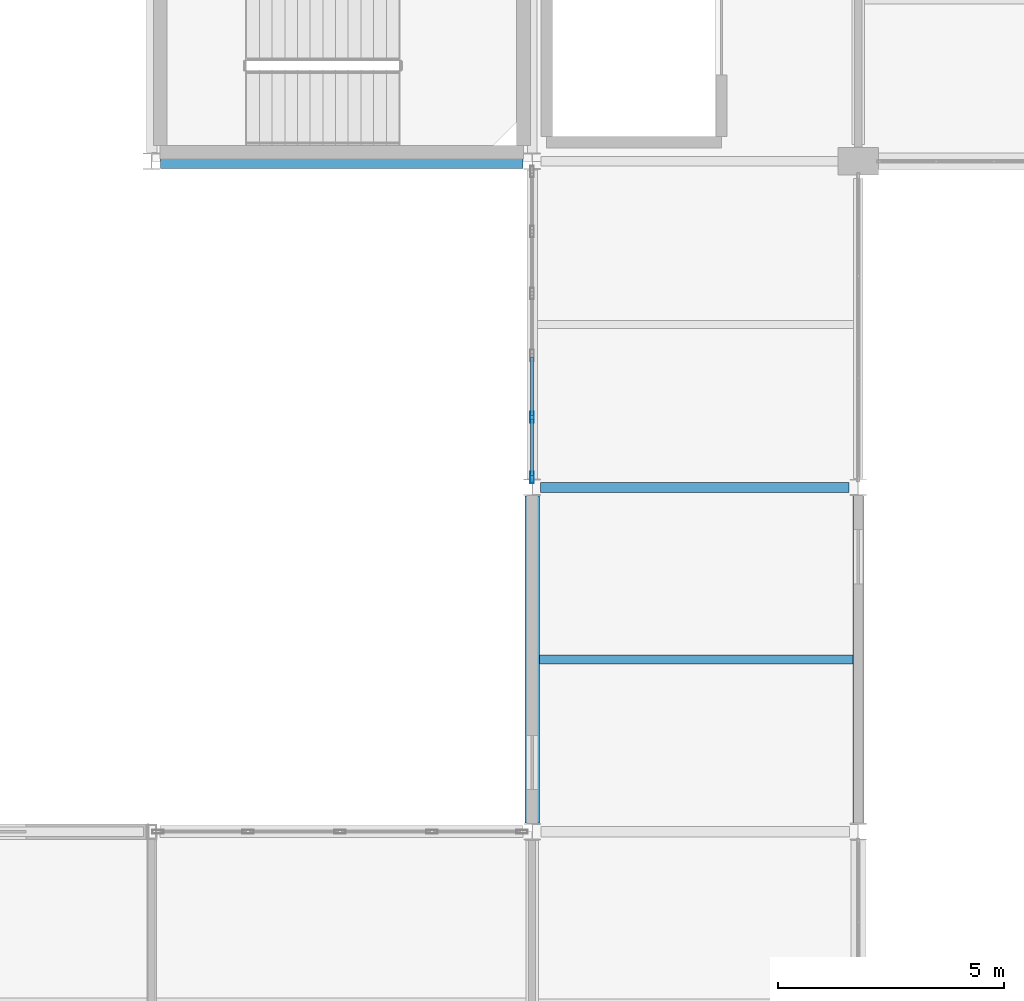
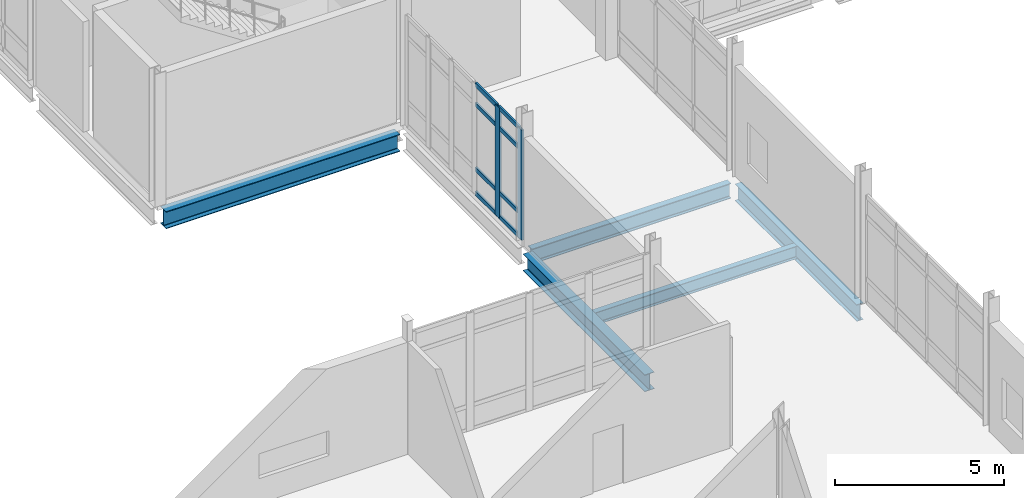
# One storey, part 96 of 186: 10 members, 5 beams, 1 element without a shape of its own.
"""IFC4 building model written with IfcOpenShell, lengths in metres."""

from ifc_helpers import new_model, si_unit, direction, frame, origin, origin_2d, place, context, subcontext, project, spatial, hollow_rectangle, i_section, extrude, material, layer, layer_set, material_profile, profile_set, type_object, element, aggregate, save


model = new_model("IFC4")

# Units and contexts
model_context = context("Model", 3, precision=1e-05, world=origin(), true_north=direction((0.0, 1.0)))
body_context = subcontext(model_context, "Body", "Model", "MODEL_VIEW")
ifc_project = project(units=[si_unit("LENGTHUNIT", "METRE"), si_unit("AREAUNIT", "SQUARE_METRE"), si_unit("VOLUMEUNIT", "CUBIC_METRE"), si_unit("PLANEANGLEUNIT", "RADIAN"), si_unit("MASSUNIT", "GRAM", prefix="KILO")], contexts=[model_context])

# Site, building, storey
site_placement = place(None, origin())
site = spatial("IfcSite", under=ifc_project, at=site_placement, CompositionType="ELEMENT")
building_placement = place(site_placement, origin())
building = spatial("IfcBuilding", under=site, at=building_placement, Name="Calvrana Isthmian Art Gallery", CompositionType="ELEMENT")
storey_placement = place(building_placement, frame((0.0, 0.0, 5.39990234375)))
storey = spatial("IfcBuildingStorey", under=building, at=storey_placement, Name="L01", CompositionType="ELEMENT", Elevation=5.39990234375)

# Beams
ifc_material_1 = material(Name="Steel ASTM A992 Gr 50", Category="steel")
ifc_material_profile_1 = material_profile(ifc_material_1, i_section(OverallWidth=0.214111328125, OverallDepth=0.549072265625, WebThickness=0.0146484375, FlangeThickness=0.023681640625, FilletRadius=0.02099609375, at=origin_2d()), Name="W21X93")
ifc_profile_set_1 = profile_set([ifc_material_profile_1], Name="Steel ASTM A992 Gr 50")
beam_type_1 = type_object("IfcBeamType", Name="BM-G-W21X93", PredefinedType="BEAM", material=ifc_profile_set_1)
beam_1_placement = place(storey_placement, frame((112.986572265625, 69.60009765625, -0.539306640625), z_axis=(1.0, 0.0, 0.0), x_axis=(0.0, 1.0, 0.0)))
element("IfcBeam", 1, at=beam_1_placement, inside=storey, type_object=beam_type_1, Name="Girder X L01 15-16/J", PredefinedType="BEAM", context=body_context, shape_type="SweptSolid", body=[
    extrude(i_section(OverallWidth=0.214111328125, OverallDepth=0.549072265625, WebThickness=0.0146484375, FlangeThickness=0.023681640625, FilletRadius=0.02099609375, at=origin_2d()), origin(), (0.0, 0.0, 1.0), 6.81396484375),
])
ifc_material_profile_2 = material_profile(ifc_material_1, i_section(OverallWidth=0.324951171875, OverallDepth=0.612060546875, WebThickness=0.0126953125, FlangeThickness=0.01904296875, FilletRadius=0.02197265625, at=origin_2d()), Name="W24X104")
ifc_profile_set_2 = profile_set([ifc_material_profile_2], Name="Steel ASTM A992 Gr 50")
beam_type_2 = type_object("IfcBeamType", Name="BM-G-W24X104", PredefinedType="BEAM", material=ifc_profile_set_2)
beam_2_placement = place(storey_placement, frame((112.800048828125, 62.193115234375, -0.57080078125), z_axis=(0.0, 1.0, 0.0), x_axis=(-1.0, 0.0, 0.0)))
element("IfcBeam", 2, at=beam_2_placement, inside=storey, type_object=beam_type_2, Name="Girder Y L01 15/I-J", PredefinedType="BEAM", context=body_context, shape_type="SweptSolid", body=[
    extrude(i_section(OverallWidth=0.324951171875, OverallDepth=0.612060546875, WebThickness=0.0126953125, FlangeThickness=0.01904296875, FilletRadius=0.02197265625, at=origin_2d()), origin(), (0.0, 0.0, 1.0), 7.220458984375),
])
ifc_material_profile_3 = material_profile(ifc_material_1, i_section(OverallWidth=0.327880859375, OverallDepth=0.6220703125, WebThickness=0.015380859375, FlangeThickness=0.0244140625, FilletRadius=0.02197265625, at=origin_2d()), Name="W24X131")
ifc_profile_set_3 = profile_set([ifc_material_profile_3], Name="Steel ASTM A992 Gr 50")
beam_type_3 = type_object("IfcBeamType", Name="BM-G-W24X131", PredefinedType="BEAM", material=ifc_profile_set_3)
beam_3_placement = place(storey_placement, frame((104.597900390625, 76.800048828125, -0.615966796875), z_axis=(1.0, 0.0, 0.0), x_axis=(0.0, 1.0, 0.0)))
element("IfcBeam", 3, at=beam_3_placement, inside=storey, type_object=beam_type_3, Name="Girder X L01 14-15/K", PredefinedType="BEAM", context=body_context, shape_type="SweptSolid", body=[
    extrude(i_section(OverallWidth=0.327880859375, OverallDepth=0.6220703125, WebThickness=0.015380859375, FlangeThickness=0.0244140625, FilletRadius=0.02197265625, at=origin_2d()), origin(), (0.0, 0.0, 1.0), 8.005126953125),
])
ifc_material_profile_4 = material_profile(ifc_material_1, i_section(OverallWidth=0.22802734375, OverallDepth=0.60693359375, WebThickness=0.01123046875, FlangeThickness=0.017333984375, FilletRadius=0.02197265625, at=origin_2d()), Name="W24X76")
ifc_profile_set_4 = profile_set([ifc_material_profile_4], Name="Steel ASTM A992 Gr 50")
beam_type_4 = type_object("IfcBeamType", Name="BM-G-W24X76", PredefinedType="BEAM", material=ifc_profile_set_4)
beam_4_placement = place(storey_placement, frame((120.0, 62.1904296875, -0.568359375), z_axis=(0.0, 1.0, 0.0), x_axis=(-1.0, 0.0, 0.0)))
element("IfcBeam", 4, at=beam_4_placement, inside=storey, type_object=beam_type_4, Name="Girder Y L01 16/I-J", PredefinedType="BEAM", context=body_context, shape_type="SweptSolid", body=[
    extrude(i_section(OverallWidth=0.22802734375, OverallDepth=0.60693359375, WebThickness=0.01123046875, FlangeThickness=0.017333984375, FilletRadius=0.02197265625, at=origin_2d()), origin(), (0.0, 0.0, 1.0), 7.216552734375),
])
ifc_material_profile_5 = material_profile(ifc_material_1, i_section(OverallWidth=0.19091796875, OverallDepth=0.45703125, WebThickness=0.009033203125, FlangeThickness=0.014404296875, FilletRadius=0.02001953125, at=origin_2d()), Name="W18X50")
ifc_profile_set_5 = profile_set([ifc_material_profile_5], Name="Steel ASTM A992 Gr 50")
beam_type_5 = type_object("IfcBeamType", Name="BM-J-W18X50", PredefinedType="JOIST", material=ifc_profile_set_5)
beam_5_placement = place(storey_placement, frame((112.96240234375, 65.800048828125, -0.493408203125), z_axis=(1.0, 0.0, 0.0), x_axis=(0.0, 1.0, 0.0)))
element("IfcBeam", 5, at=beam_5_placement, inside=storey, type_object=beam_type_5, Name="Composite joist L01 bay 14-08", PredefinedType="JOIST", context=body_context, shape_type="SweptSolid", body=[
    extrude(i_section(OverallWidth=0.19091796875, OverallDepth=0.45703125, WebThickness=0.009033203125, FlangeThickness=0.014404296875, FilletRadius=0.02001953125, at=origin_2d()), origin(), (0.0, 0.0, 1.0), 6.923583984375),
])

# Curtain wall, members
ifc_material_2 = material(Name="Anodized bronze aluminium 6063-T6", Category="aluminium")
ifc_layer = layer(ifc_material_2, 0.179931640625, Name="Anodized bronze aluminium 6063-T6")
ifc_layer_set = layer_set([ifc_layer], Name="Anodized bronze aluminium 6063-T6")
curtain_wall_type = type_object("IfcCurtainWallType", Name="CW-UNIT-068X40", PredefinedType="USERDEFINED", material=ifc_layer_set)
curtain_wall_placement = place(storey_placement, origin())
curtain_wall = element("IfcCurtainWall", 6, at=curtain_wall_placement, inside=storey, type_object=curtain_wall_type, Name="Curtain wall CW-137", ObjectType="UNITISED CURTAIN WALL", PredefinedType="USERDEFINED")
ifc_material_profile_6 = material_profile(ifc_material_2, hollow_rectangle(XDim=0.080078125, YDim=0.25, WallThickness=0.005615234375, at=origin_2d()), Name="CWM80X250")
ifc_profile_set_6 = profile_set([ifc_material_profile_6], Name="Anodized bronze aluminium 6063-T6")
member_type_1 = type_object("IfcMemberType", Name="CWM-CWM80X250", PredefinedType="MULLION", material=ifc_profile_set_6)
member_1_placement = place(storey_placement, frame((112.800048828125, 69.821533203125, 0.0), z_axis=(0.0, 0.0, 1.0), x_axis=(-1.0, 0.0, 0.0)))
member_1 = element("IfcMember", 7, at=member_1_placement, type_object=member_type_1, Name="CW-137 mullion 1", PredefinedType="MULLION", context=body_context, shape_type="SweptSolid", body=[
    extrude(hollow_rectangle(XDim=0.080078125, YDim=0.25, WallThickness=0.005615234375, at=origin_2d()), origin(), (0.0, 0.0, 1.0), 3.987060546875),
])
member_2_placement = place(storey_placement, frame((112.800048828125, 71.1484375, 0.0), z_axis=(0.0, 0.0, 1.0), x_axis=(-1.0, 0.0, 0.0)))
member_2 = element("IfcMember", 8, at=member_2_placement, type_object=member_type_1, Name="CW-137 mullion 2", PredefinedType="MULLION", context=body_context, shape_type="SweptSolid", body=[
    extrude(hollow_rectangle(XDim=0.080078125, YDim=0.25, WallThickness=0.005615234375, at=origin_2d()), origin(), (0.0, 0.0, 1.0), 3.987060546875),
])
ifc_material_profile_7 = material_profile(ifc_material_2, hollow_rectangle(XDim=0.06494140625, YDim=0.14990234375, WallThickness=0.00390625, at=origin_2d()), Name="CWT65X150")
ifc_profile_set_7 = profile_set([ifc_material_profile_7], Name="Anodized bronze aluminium 6063-T6")
member_type_2 = type_object("IfcMemberType", Name="CWT-CWT65X150", PredefinedType="USERDEFINED", material=ifc_profile_set_7)
member_3_placement = place(storey_placement, frame((112.800048828125, 69.861572265625, 0.03271484375), z_axis=(0.0, 1.0, 0.0), x_axis=(-1.0, 0.0, 0.0)))
member_3 = element("IfcMember", 9, at=member_3_placement, type_object=member_type_2, Name="CW-137 transom 1.1", ObjectType="TRANSOM", PredefinedType="USERDEFINED", context=body_context, shape_type="SweptSolid", body=[
    extrude(hollow_rectangle(XDim=0.06494140625, YDim=0.14990234375, WallThickness=0.00390625, at=origin_2d()), origin(), (0.0, 0.0, 1.0), 1.246826171875),
])
member_4_placement = place(storey_placement, frame((112.800048828125, 69.861572265625, 0.900146484375), z_axis=(0.0, 1.0, 0.0), x_axis=(-1.0, 0.0, 0.0)))
member_4 = element("IfcMember", 10, at=member_4_placement, type_object=member_type_2, Name="CW-137 transom 1.2", ObjectType="TRANSOM", PredefinedType="USERDEFINED", context=body_context, shape_type="SweptSolid", body=[
    extrude(hollow_rectangle(XDim=0.06494140625, YDim=0.14990234375, WallThickness=0.00390625, at=origin_2d()), origin(), (0.0, 0.0, 1.0), 1.246826171875),
])
member_5_placement = place(storey_placement, frame((112.800048828125, 69.861572265625, 3.237060546875), z_axis=(0.0, 1.0, 0.0), x_axis=(-1.0, 0.0, 0.0)))
member_5 = element("IfcMember", 11, at=member_5_placement, type_object=member_type_2, Name="CW-137 transom 1.3", ObjectType="TRANSOM", PredefinedType="USERDEFINED", context=body_context, shape_type="SweptSolid", body=[
    extrude(hollow_rectangle(XDim=0.06494140625, YDim=0.14990234375, WallThickness=0.00390625, at=origin_2d()), origin(), (0.0, 0.0, 1.0), 1.246826171875),
])
member_6_placement = place(storey_placement, frame((112.800048828125, 69.861572265625, 3.95458984375), z_axis=(0.0, 1.0, 0.0), x_axis=(-1.0, 0.0, 0.0)))
member_6 = element("IfcMember", 12, at=member_6_placement, type_object=member_type_2, Name="CW-137 transom 1.4", ObjectType="TRANSOM", PredefinedType="USERDEFINED", context=body_context, shape_type="SweptSolid", body=[
    extrude(hollow_rectangle(XDim=0.06494140625, YDim=0.14990234375, WallThickness=0.00390625, at=origin_2d()), origin(), (0.0, 0.0, 1.0), 1.246826171875),
])
member_7_placement = place(storey_placement, frame((112.800048828125, 71.1884765625, 0.03271484375), z_axis=(0.0, 1.0, 0.0), x_axis=(-1.0, 0.0, 0.0)))
member_7 = element("IfcMember", 13, at=member_7_placement, type_object=member_type_2, Name="CW-137 transom 2.1", ObjectType="TRANSOM", PredefinedType="USERDEFINED", context=body_context, shape_type="SweptSolid", body=[
    extrude(hollow_rectangle(XDim=0.06494140625, YDim=0.14990234375, WallThickness=0.00390625, at=origin_2d()), origin(), (0.0, 0.0, 1.0), 1.286865234375),
])
member_8_placement = place(storey_placement, frame((112.800048828125, 71.1884765625, 0.900146484375), z_axis=(0.0, 1.0, 0.0), x_axis=(-1.0, 0.0, 0.0)))
member_8 = element("IfcMember", 14, at=member_8_placement, type_object=member_type_2, Name="CW-137 transom 2.2", ObjectType="TRANSOM", PredefinedType="USERDEFINED", context=body_context, shape_type="SweptSolid", body=[
    extrude(hollow_rectangle(XDim=0.06494140625, YDim=0.14990234375, WallThickness=0.00390625, at=origin_2d()), origin(), (0.0, 0.0, 1.0), 1.286865234375),
])
member_9_placement = place(storey_placement, frame((112.800048828125, 71.1884765625, 3.237060546875), z_axis=(0.0, 1.0, 0.0), x_axis=(-1.0, 0.0, 0.0)))
member_9 = element("IfcMember", 15, at=member_9_placement, type_object=member_type_2, Name="CW-137 transom 2.3", ObjectType="TRANSOM", PredefinedType="USERDEFINED", context=body_context, shape_type="SweptSolid", body=[
    extrude(hollow_rectangle(XDim=0.06494140625, YDim=0.14990234375, WallThickness=0.00390625, at=origin_2d()), origin(), (0.0, 0.0, 1.0), 1.286865234375),
])
member_10_placement = place(storey_placement, frame((112.800048828125, 71.1884765625, 3.95458984375), z_axis=(0.0, 1.0, 0.0), x_axis=(-1.0, 0.0, 0.0)))
member_10 = element("IfcMember", 16, at=member_10_placement, type_object=member_type_2, Name="CW-137 transom 2.4", ObjectType="TRANSOM", PredefinedType="USERDEFINED", context=body_context, shape_type="SweptSolid", body=[
    extrude(hollow_rectangle(XDim=0.06494140625, YDim=0.14990234375, WallThickness=0.00390625, at=origin_2d()), origin(), (0.0, 0.0, 1.0), 1.286865234375),
])
aggregate(curtain_wall, [member_1, member_2, member_3, member_4, member_5, member_6, member_7, member_8, member_9, member_10])

save(model, "model.ifc")
